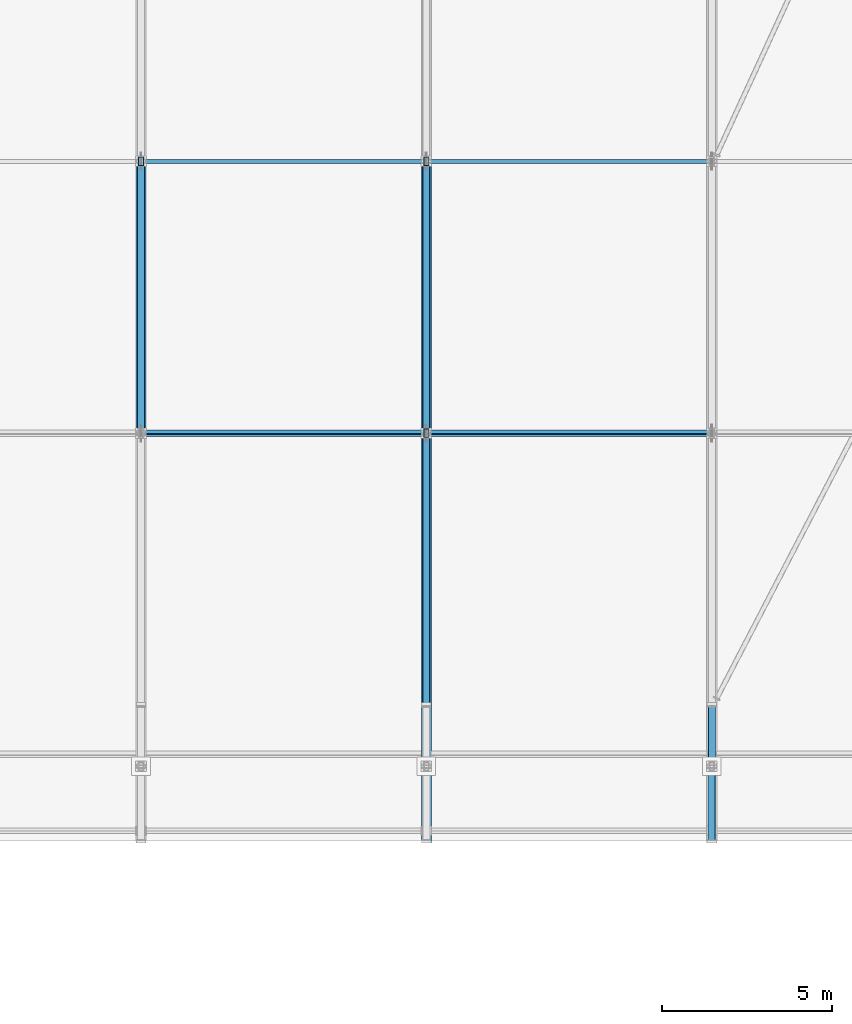
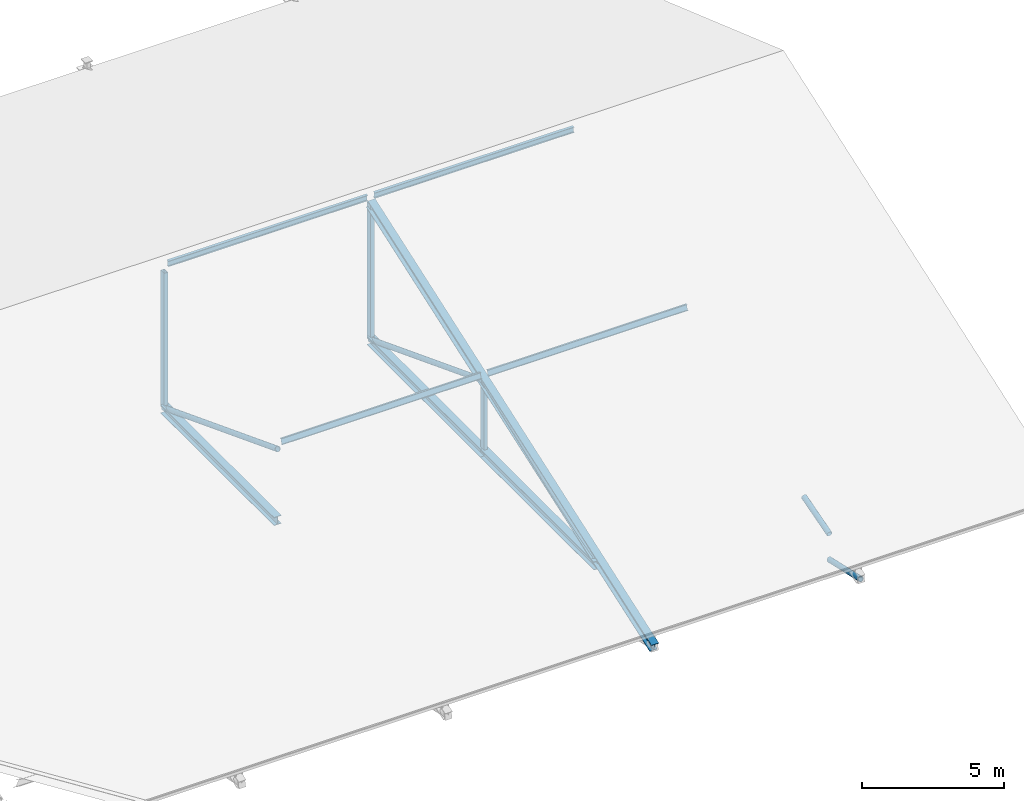
# One storey, part 5 of 57: 15 members, 1 beam.
"""IFC4 building model written with IfcOpenShell, lengths in metres."""

from ifc_helpers import new_model, si_unit, direction, frame, origin, origin_2d, place, context, subcontext, project, spatial, hollow_rectangle, hollow_circle, i_section, extrude, material, material_profile, profile_set, type_object, element, save


model = new_model("IFC4")

# Units and contexts
model_context = context("Model", 3, precision=1e-05, world=origin(), true_north=direction((0.0, 1.0)))
body_context = subcontext(model_context, "Body", "Model", "MODEL_VIEW")
ifc_project = project(units=[si_unit("LENGTHUNIT", "METRE"), si_unit("AREAUNIT", "SQUARE_METRE"), si_unit("VOLUMEUNIT", "CUBIC_METRE"), si_unit("PLANEANGLEUNIT", "RADIAN"), si_unit("MASSUNIT", "GRAM", prefix="KILO")], contexts=[model_context])

# Site, building, storey
site_placement = place(None, origin())
site = spatial("IfcSite", under=ifc_project, at=site_placement, CompositionType="ELEMENT")
building_placement = place(site_placement, origin())
building = spatial("IfcBuilding", under=site, at=building_placement, Name="Kelarvand Opera House", CompositionType="ELEMENT")
storey_placement = place(building_placement, frame((0.0, 0.0, 33.60009765625)))
storey = spatial("IfcBuildingStorey", under=building, at=storey_placement, Name="Roof", CompositionType="ELEMENT", Elevation=33.60009765625)

# Members
ifc_material = material(Name="Steel S355", Category="steel")
ifc_material_profile_1 = material_profile(ifc_material, hollow_circle(Radius=0.109619140625, WallThickness=0.010009765625, at=origin_2d()), Name="CHS 219.1x10.0", Category="steel")
ifc_profile_set_1 = profile_set([ifc_material_profile_1], Name="Steel S355")
member_type_1 = type_object("IfcMemberType", Name="Structural Brace CHS 219.1x10.0 BR-CHS219", PredefinedType="BRACE", material=ifc_profile_set_1)
for number, where, z_axis, x_axis, name in (
    (1, (25.800048828125, 97.0, -10.5029296875), (0.0, 0.933336796692, -0.3590019832), (-1.0, 0.0, 0.0), "V3 Roof Truss 3 Web Diagonal 2"),
    (2, (34.199951171875, 89.0, -13.580078125), (0.0, 0.933336796692, 0.3590019832), (-1.0, 0.0, 0.0), "V3 Roof Truss 4 Web Diagonal 1"),
    (3, (34.199951171875, 97.0, -10.5029296875), (0.0, 0.933336796692, -0.3590019832), (-1.0, 0.0, 0.0), "V3 Roof Truss 4 Web Diagonal 2"),
):
    element("IfcMember", number, at=place(storey_placement, frame(where, z_axis=z_axis, x_axis=x_axis)), inside=storey, type_object=member_type_1, Name=name, PredefinedType="BRACE", context=body_context, shape_type="SweptSolid", body=[
        extrude(hollow_circle(Radius=0.109619140625, WallThickness=0.010009765625, at=origin_2d()), origin(), (0.0, 0.0, 1.0), 8.5712890625),
    ])
member_1_placement = place(storey_placement, frame((42.60009765625, 87.199951171875, -15.2001953125), z_axis=(0.0, -0.975388459832, 0.220493429439), x_axis=(1.0, 0.0, 0.0)))
element("IfcMember", 4, at=member_1_placement, inside=storey, type_object=member_type_1, Name="V3 Roof Truss 5 Eave Knee Brace S", PredefinedType="BRACE", context=body_context, shape_type="SweptSolid", body=[
    extrude(hollow_circle(Radius=0.109619140625, WallThickness=0.010009765625, at=origin_2d()), origin(), (0.0, 0.0, 1.0), 2.25537109375),
])
member_2_placement = place(storey_placement, frame((42.60009765625, 87.199951171875, -14.10009765625), z_axis=(0.0, 0.960713410768, 0.277542325368), x_axis=(-1.0, 0.0, 0.0)))
element("IfcMember", 5, at=member_2_placement, inside=storey, type_object=member_type_1, Name="V3 Roof Truss 5 Support Tie S", PredefinedType="BRACE", context=body_context, shape_type="SweptSolid", body=[
    extrude(hollow_circle(Radius=0.109619140625, WallThickness=0.010009765625, at=origin_2d()), origin(), (0.0, 0.0, 1.0), 1.873779296875),
])
ifc_material_profile_2 = material_profile(ifc_material, i_section(OverallWidth=0.300048828125, OverallDepth=0.360107421875, WebThickness=0.012451171875, FlangeThickness=0.0224609375, at=origin_2d()), Name="HEB 360", Category="steel")
ifc_profile_set_2 = profile_set([ifc_material_profile_2], Name="Steel S355")
member_type_2 = type_object("IfcMemberType", Name="Structural Chord HEB 360 CH-HEB360", PredefinedType="CHORD", material=ifc_profile_set_2)
for number, where, z_axis, x_axis, name in (
    (6, (25.800048828125, 97.0, -13.580078125), (0.0, 1.0, 0.0), (-1.0, 0.0, 0.0), "V3 Roof Truss 3 Bottom Chord 2"),
    (7, (34.199951171875, 89.0, -13.580078125), (0.0, 1.0, 0.0), (-1.0, 0.0, 0.0), "V3 Roof Truss 4 Bottom Chord 1"),
    (8, (34.199951171875, 97.0, -13.580078125), (0.0, 1.0, 0.0), (-1.0, 0.0, 0.0), "V3 Roof Truss 4 Bottom Chord 2"),
):
    element("IfcMember", number, at=place(storey_placement, frame(where, z_axis=z_axis, x_axis=x_axis)), inside=storey, type_object=member_type_2, Name=name, PredefinedType="CHORD", context=body_context, shape_type="SweptSolid", body=[
        extrude(i_section(OverallWidth=0.300048828125, OverallDepth=0.360107421875, WebThickness=0.012451171875, FlangeThickness=0.0224609375, at=origin_2d()), origin(), (0.0, 0.0, 1.0), 8.0),
    ])
ifc_material_profile_3 = material_profile(ifc_material, hollow_rectangle(XDim=0.14990234375, YDim=0.25, WallThickness=0.010009765625, at=origin_2d()), Name="RHS 250x150x10.0", Category="steel")
ifc_profile_set_3 = profile_set([ifc_material_profile_3], Name="Steel S355")
member_type_3 = type_object("IfcMemberType", Name="Structural Post RHS 250x150x10.0 PS-RHS250", PredefinedType="POST", material=ifc_profile_set_3)
member_3_placement = place(storey_placement, frame((25.800048828125, 105.0, -13.580078125), z_axis=(0.0, 0.0, 1.0), x_axis=(1.0, 0.0, 0.0)))
element("IfcMember", 9, at=member_3_placement, inside=storey, type_object=member_type_3, Name="V3 Roof Truss 3 Post 2", PredefinedType="POST", context=body_context, shape_type="SweptSolid", body=[
    extrude(hollow_rectangle(XDim=0.14990234375, YDim=0.25, WallThickness=0.010009765625, at=origin_2d()), origin(), (0.0, 0.0, 1.0), 5.877197265625),
])
member_4_placement = place(storey_placement, frame((34.199951171875, 97.0, -13.580078125), z_axis=(0.0, 0.0, 1.0), x_axis=(1.0, 0.0, 0.0)))
element("IfcMember", 10, at=member_4_placement, inside=storey, type_object=member_type_3, Name="V3 Roof Truss 4 Post 1", PredefinedType="POST", context=body_context, shape_type="SweptSolid", body=[
    extrude(hollow_rectangle(XDim=0.14990234375, YDim=0.25, WallThickness=0.010009765625, at=origin_2d()), origin(), (0.0, 0.0, 1.0), 3.0771484375),
])
member_5_placement = place(storey_placement, frame((34.199951171875, 105.0, -13.580078125), z_axis=(0.0, 0.0, 1.0), x_axis=(1.0, 0.0, 0.0)))
element("IfcMember", 11, at=member_5_placement, inside=storey, type_object=member_type_3, Name="V3 Roof Truss 4 Post 2", PredefinedType="POST", context=body_context, shape_type="SweptSolid", body=[
    extrude(hollow_rectangle(XDim=0.14990234375, YDim=0.25, WallThickness=0.010009765625, at=origin_2d()), origin(), (0.0, 0.0, 1.0), 5.877197265625),
])
ifc_material_profile_4 = material_profile(ifc_material, i_section(OverallWidth=0.1201171875, OverallDepth=0.239990234375, WebThickness=0.006103515625, FlangeThickness=0.009765625, at=origin_2d()), Name="IPE 240", Category="steel")
ifc_profile_set_4 = profile_set([ifc_material_profile_4], Name="Steel S355")
member_type_4 = type_object("IfcMemberType", Name="Structural Purlin IPE 240 PR-IPE240", PredefinedType="PURLIN", material=ifc_profile_set_4)
for number, where, z_axis, x_axis, name in (
    (12, (25.93994140625, 97.0, -10.226806640625), (1.0, 0.0, 0.0), (0.0, 0.943858622852, -0.330349663339), "V3 Roof Purlin 3.3"),
    (13, (25.93994140625, 105.0, -7.413818359375), (1.0, 0.0, 0.0), (0.0, 1.0, 0.0), "V3 Roof Purlin 3.4"),
):
    element("IfcMember", number, at=place(storey_placement, frame(where, z_axis=z_axis, x_axis=x_axis)), inside=storey, type_object=member_type_4, Name=name, PredefinedType="PURLIN", context=body_context, shape_type="SweptSolid", body=[
        extrude(i_section(OverallWidth=0.1201171875, OverallDepth=0.239990234375, WebThickness=0.006103515625, FlangeThickness=0.009765625, at=origin_2d()), origin(), (0.0, 0.0, 1.0), 8.1201171875),
    ])
for number, where, z_axis, x_axis, name in (
    (14, (34.340087890625, 97.0, -10.226806640625), (1.0, 0.0, 0.0), (0.0, 0.943858622852, -0.330349663339), "V3 Roof Purlin 4.3"),
    (15, (34.340087890625, 105.0, -7.413818359375), (1.0, 0.0, 0.0), (0.0, 1.0, 0.0), "V3 Roof Purlin 4.4"),
):
    element("IfcMember", number, at=place(storey_placement, frame(where, z_axis=z_axis, x_axis=x_axis)), inside=storey, type_object=member_type_4, Name=name, PredefinedType="PURLIN", context=body_context, shape_type="SweptSolid", body=[
        extrude(i_section(OverallWidth=0.1201171875, OverallDepth=0.239990234375, WebThickness=0.006103515625, FlangeThickness=0.009765625, at=origin_2d()), origin(), (0.0, 0.0, 1.0), 8.119873046875),
    ])

# Beam
ifc_material_profile_5 = material_profile(ifc_material, i_section(OverallWidth=0.300048828125, OverallDepth=0.360107421875, WebThickness=0.012451171875, FlangeThickness=0.0224609375, at=origin_2d()), Name="HEB 360", Category="steel")
ifc_profile_set_5 = profile_set([ifc_material_profile_5], Name="Steel S355")
beam_type = type_object("IfcBeamType", Name="Structural Roof Truss HEB 360 RT-HEB360", PredefinedType="USERDEFINED", material=ifc_profile_set_5)
beam_placement = place(storey_placement, frame((34.199951171875, 85.0, -14.702880859375), z_axis=(0.0, 0.943858356366, 0.330350424728), x_axis=(-1.0, 0.0, 0.0)))
element("IfcBeam", 16, at=beam_placement, inside=storey, type_object=beam_type, Name="V3 Roof Truss 4 Top Chord Rafter 1", ObjectType="ROOF TRUSS", PredefinedType="USERDEFINED", context=body_context, shape_type="SweptSolid", body=[
    extrude(i_section(OverallWidth=0.300048828125, OverallDepth=0.360107421875, WebThickness=0.012451171875, FlangeThickness=0.0224609375, at=origin_2d()), origin(), (0.0, 0.0, 1.0), 21.189697265625),
])

save(model, "model.ifc")
